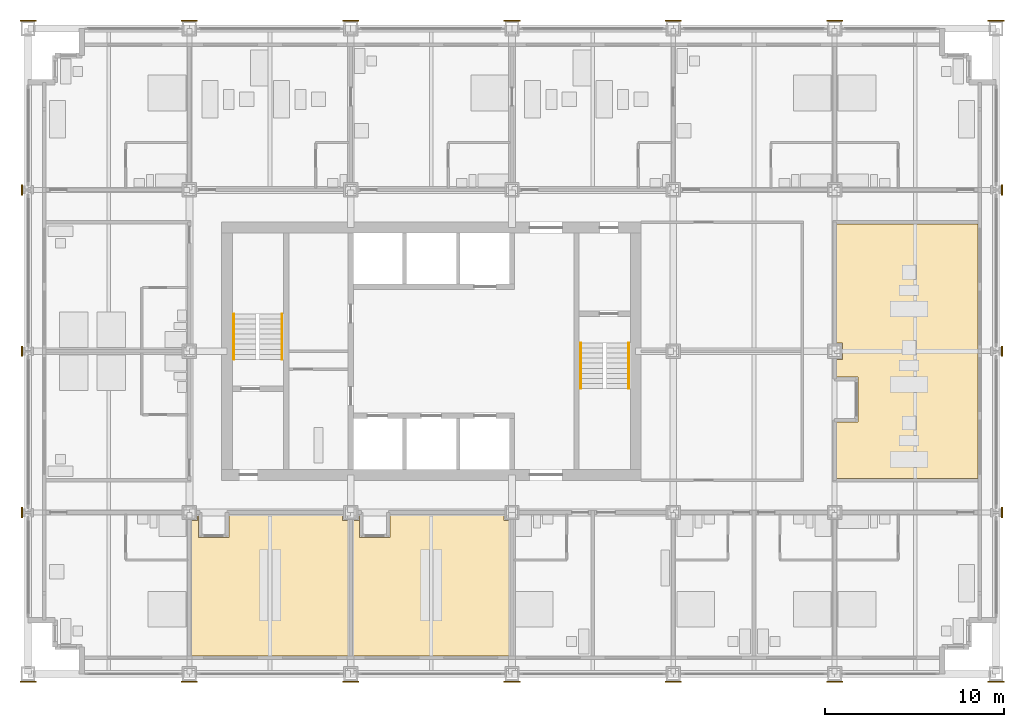
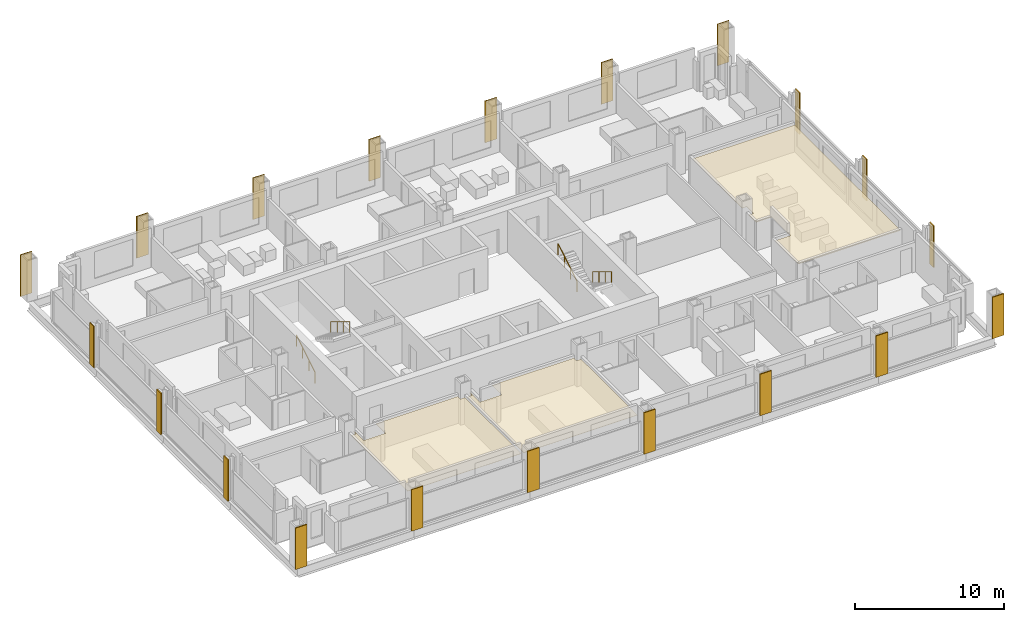
# One storey, part 16 of 18: 23 coverings, 4 railings.
"""IFC4 building model written with IfcOpenShell, lengths in metres."""

from ifc_helpers import new_model, si_unit, direction, frame, origin, origin_2d, place, context, subcontext, project, spatial, polyline, rectangle, circle, outline, extrude, material, layer, layer_set, type_object, element, save


model = new_model("IFC4")

# Units and contexts
model_context = context("Model", 3, precision=1e-05, world=origin(), true_north=direction((0.0, 1.0)))
body_context = subcontext(model_context, "Body", "Model", "MODEL_VIEW")
ifc_project = project(units=[si_unit("LENGTHUNIT", "METRE"), si_unit("AREAUNIT", "SQUARE_METRE"), si_unit("VOLUMEUNIT", "CUBIC_METRE"), si_unit("PLANEANGLEUNIT", "RADIAN"), si_unit("MASSUNIT", "GRAM", prefix="KILO")], contexts=[model_context])

# Site, building, storey
site_placement = place(None, origin())
site = spatial("IfcSite", under=ifc_project, at=site_placement, CompositionType="ELEMENT")
building_placement = place(site_placement, origin())
building = spatial("IfcBuilding", under=site, at=building_placement, Name="Loomwork Tower", CompositionType="ELEMENT")
storey_placement = place(building_placement, frame((0.0, 0.0, 28.0)))
storey = spatial("IfcBuildingStorey", under=building, at=storey_placement, Name="L05", CompositionType="ELEMENT", Elevation=28.0)

# Railings
ifc_material_1 = material(Name="Stainless steel handrail", Category="steel")
railing_type = type_object("IfcRailingType", Name="Handrail 900", PredefinedType="HANDRAIL", material=ifc_material_1)
railing_1_placement = place(storey_placement, frame((11.485107421875, 17.550048828125, 0.169921875)))
element("IfcRailing", 1, at=railing_1_placement, inside=storey, type_object=railing_type, Name="Stair A handrail flight 1 L05", PredefinedType="HANDRAIL", context=body_context, shape_type="SweptSolid", body=[
    extrude(circle(Radius=0.02392578125, at=origin_2d()), frame((0.0, 0.0, 0.8759765625), z_axis=(0.0, 0.85478489116, 0.518982456201), x_axis=(-1.0, 0.0, 0.0)), (0.0, 0.0, 1.0), 2.9482421875),
    extrude(circle(Radius=0.02099609375, at=origin_2d()), origin(), (0.0, 0.0, 1.0), 0.851806640625),
    extrude(circle(Radius=0.02099609375, at=origin_2d()), frame((0.0, 0.840087890625, 0.510009765625)), (0.0, 0.0, 1.0), 0.851806640625),
    extrude(circle(Radius=0.02099609375, at=origin_2d()), frame((0.0, 1.679931640625, 1.02001953125)), (0.0, 0.0, 1.0), 0.851806640625),
    extrude(circle(Radius=0.02099609375, at=origin_2d()), frame((0.0, 2.52001953125, 1.530029296875)), (0.0, 0.0, 1.0), 0.851806640625),
])
railing_2_placement = place(storey_placement, frame((14.1650390625, 20.070068359375, 1.8701171875)))
element("IfcRailing", 2, at=railing_2_placement, inside=storey, type_object=railing_type, Name="Stair A handrail flight 2 L05", PredefinedType="HANDRAIL", context=body_context, shape_type="SweptSolid", body=[
    extrude(circle(Radius=0.02392578125, at=origin_2d()), frame((0.0, 0.0, 0.8759765625), z_axis=(0.0, -0.854821627497, 0.518921945155), x_axis=(1.0, 0.0, 0.0)), (0.0, 0.0, 1.0), 2.947998046875),
    extrude(circle(Radius=0.02099609375, at=origin_2d()), origin(), (0.0, 0.0, 1.0), 0.851806640625),
    extrude(circle(Radius=0.02099609375, at=origin_2d()), frame((0.0, -0.840087890625, 0.510009765625)), (0.0, 0.0, 1.0), 0.851806640625),
    extrude(circle(Radius=0.02099609375, at=origin_2d()), frame((0.0, -1.679931640625, 1.019775390625)), (0.0, 0.0, 1.0), 0.851806640625),
    extrude(circle(Radius=0.02099609375, at=origin_2d()), frame((0.0, -2.52001953125, 1.52978515625)), (0.0, 0.0, 1.0), 0.851806640625),
])
railing_3_placement = place(storey_placement, frame((33.514892578125, 18.449951171875, 0.169921875)))
element("IfcRailing", 3, at=railing_3_placement, inside=storey, type_object=railing_type, Name="Stair B handrail flight 1 L05", PredefinedType="HANDRAIL", context=body_context, shape_type="SweptSolid", body=[
    extrude(circle(Radius=0.02392578125, at=origin_2d()), frame((0.0, 0.0, 0.8759765625), z_axis=(0.0, -0.85478489116, 0.518982456201), x_axis=(1.0, 0.0, 0.0)), (0.0, 0.0, 1.0), 2.9482421875),
    extrude(circle(Radius=0.02099609375, at=origin_2d()), origin(), (0.0, 0.0, 1.0), 0.851806640625),
    extrude(circle(Radius=0.02099609375, at=origin_2d()), frame((0.0, -0.840087890625, 0.510009765625)), (0.0, 0.0, 1.0), 0.851806640625),
    extrude(circle(Radius=0.02099609375, at=origin_2d()), frame((0.0, -1.679931640625, 1.02001953125)), (0.0, 0.0, 1.0), 0.851806640625),
    extrude(circle(Radius=0.02099609375, at=origin_2d()), frame((0.0, -2.52001953125, 1.530029296875)), (0.0, 0.0, 1.0), 0.851806640625),
])
railing_4_placement = place(storey_placement, frame((30.8349609375, 15.929931640625, 1.8701171875)))
element("IfcRailing", 4, at=railing_4_placement, inside=storey, type_object=railing_type, Name="Stair B handrail flight 2 L05", PredefinedType="HANDRAIL", context=body_context, shape_type="SweptSolid", body=[
    extrude(circle(Radius=0.02392578125, at=origin_2d()), frame((0.0, 0.0, 0.8759765625), z_axis=(0.0, 0.854821627497, 0.518921945155), x_axis=(-1.0, 0.0, 0.0)), (0.0, 0.0, 1.0), 2.947998046875),
    extrude(circle(Radius=0.02099609375, at=origin_2d()), origin(), (0.0, 0.0, 1.0), 0.851806640625),
    extrude(circle(Radius=0.02099609375, at=origin_2d()), frame((0.0, 0.840087890625, 0.510009765625)), (0.0, 0.0, 1.0), 0.851806640625),
    extrude(circle(Radius=0.02099609375, at=origin_2d()), frame((0.0, 1.679931640625, 1.019775390625)), (0.0, 0.0, 1.0), 0.851806640625),
    extrude(circle(Radius=0.02099609375, at=origin_2d()), frame((0.0, 2.52001953125, 1.52978515625)), (0.0, 0.0, 1.0), 0.851806640625),
])

# Coverings
ifc_material_2 = material(Name="Limestone", Category="masonry")
ifc_layer_1 = layer(ifc_material_2, 0.080078125)
ifc_layer_set_1 = layer_set([ifc_layer_1], Name="Limestone pier facing 80")
covering_type_1 = type_object("IfcCoveringType", Name="Limestone pier facing 80", PredefinedType="CLADDING", material=ifc_layer_set_1)
covering_1_placement = place(storey_placement, frame((0.0, -0.43994140625, 0.0), z_axis=(0.0, 0.0, 1.0), x_axis=(1.0, 0.0, 0.0)))
element("IfcCovering", 5, at=covering_1_placement, inside=storey, type_object=covering_type_1, Name="Pier facing D/2 L05", PredefinedType="CLADDING", context=body_context, shape_type="SweptSolid", body=[
    extrude(rectangle(XDim=0.89990234375, YDim=0.080078125, at=origin_2d()), origin(), (0.0, 0.0, 1.0), 3.39990234375),
])
for number, where, z_axis, x_axis, name in (
    (6, (-0.339599609375, 9.0, 0.0), (0.0, 0.0, 1.0), (1.0, 0.0, 0.0), "Pier facing E/2 L05"),
    (7, (-0.339599609375, 18.0, 0.0), (0.0, 0.0, 1.0), (1.0, 0.0, 0.0), "Pier facing F/2 L05"),
    (8, (-0.339599609375, 27.0, 0.0), (0.0, 0.0, 1.0), (1.0, 0.0, 0.0), "Pier facing G/2 L05"),
):
    element("IfcCovering", number, at=place(storey_placement, frame(where, z_axis=z_axis, x_axis=x_axis)), inside=storey, type_object=covering_type_1, Name=name, PredefinedType="CLADDING", context=body_context, shape_type="SweptSolid", body=[
        extrude(rectangle(XDim=0.080078125, YDim=0.577392578125, at=origin_2d()), origin(), (0.0, 0.0, 1.0), 3.39990234375),
    ])
for number, where, z_axis, x_axis, name in (
    (9, (0.0, 36.43994140625, 0.0), (0.0, 0.0, 1.0), (1.0, 0.0, 0.0), "Pier facing H/2 L05"),
    (10, (9.0, -0.43994140625, 0.0), (0.0, 0.0, 1.0), (1.0, 0.0, 0.0), "Pier facing D/3 L05"),
    (11, (9.0, 36.43994140625, 0.0), (0.0, 0.0, 1.0), (1.0, 0.0, 0.0), "Pier facing H/3 L05"),
    (12, (18.0, -0.43994140625, 0.0), (0.0, 0.0, 1.0), (1.0, 0.0, 0.0), "Pier facing D/4 L05"),
    (13, (18.0, 36.43994140625, 0.0), (0.0, 0.0, 1.0), (1.0, 0.0, 0.0), "Pier facing H/4 L05"),
    (14, (27.0, -0.43994140625, 0.0), (0.0, 0.0, 1.0), (1.0, 0.0, 0.0), "Pier facing D/5 L05"),
    (15, (27.0, 36.43994140625, 0.0), (0.0, 0.0, 1.0), (1.0, 0.0, 0.0), "Pier facing H/5 L05"),
    (16, (36.0, -0.43994140625, 0.0), (0.0, 0.0, 1.0), (1.0, 0.0, 0.0), "Pier facing D/6 L05"),
    (17, (36.0, 36.43994140625, 0.0), (0.0, 0.0, 1.0), (1.0, 0.0, 0.0), "Pier facing H/6 L05"),
    (18, (45.0, -0.43994140625, 0.0), (0.0, 0.0, 1.0), (1.0, 0.0, 0.0), "Pier facing D/7 L05"),
    (19, (45.0, 36.43994140625, 0.0), (0.0, 0.0, 1.0), (1.0, 0.0, 0.0), "Pier facing H/7 L05"),
    (20, (54.0, -0.43994140625, 0.0), (0.0, 0.0, 1.0), (1.0, 0.0, 0.0), "Pier facing D/8 L05"),
):
    element("IfcCovering", number, at=place(storey_placement, frame(where, z_axis=z_axis, x_axis=x_axis)), inside=storey, type_object=covering_type_1, Name=name, PredefinedType="CLADDING", context=body_context, shape_type="SweptSolid", body=[
        extrude(rectangle(XDim=0.89990234375, YDim=0.080078125, at=origin_2d()), origin(), (0.0, 0.0, 1.0), 3.39990234375),
    ])
for number, where, z_axis, x_axis, name in (
    (21, (54.339599609375, 9.0, 0.0), (0.0, 0.0, 1.0), (1.0, 0.0, 0.0), "Pier facing E/8 L05"),
    (22, (54.339599609375, 18.0, 0.0), (0.0, 0.0, 1.0), (1.0, 0.0, 0.0), "Pier facing F/8 L05"),
    (23, (54.339599609375, 27.0, 0.0), (0.0, 0.0, 1.0), (1.0, 0.0, 0.0), "Pier facing G/8 L05"),
):
    element("IfcCovering", number, at=place(storey_placement, frame(where, z_axis=z_axis, x_axis=x_axis)), inside=storey, type_object=covering_type_1, Name=name, PredefinedType="CLADDING", context=body_context, shape_type="SweptSolid", body=[
        extrude(rectangle(XDim=0.080078125, YDim=0.577392578125, at=origin_2d()), origin(), (0.0, 0.0, 1.0), 3.39990234375),
    ])
covering_2_placement = place(storey_placement, frame((54.0, 36.43994140625, 0.0), z_axis=(0.0, 0.0, 1.0), x_axis=(1.0, 0.0, 0.0)))
element("IfcCovering", 24, at=covering_2_placement, inside=storey, type_object=covering_type_1, Name="Pier facing H/8 L05", PredefinedType="CLADDING", context=body_context, shape_type="SweptSolid", body=[
    extrude(rectangle(XDim=0.89990234375, YDim=0.080078125, at=origin_2d()), origin(), (0.0, 0.0, 1.0), 3.39990234375),
])
ifc_material_3 = material(Name="Mineral fibre acoustic tile on suspension grid")
ifc_layer_2 = layer(ifc_material_3, 0.02490234375)
ifc_layer_set_2 = layer_set([ifc_layer_2], Name="Suspended acoustic ceiling")
covering_type_2 = type_object("IfcCoveringType", Name="Suspended acoustic ceiling", PredefinedType="CEILING", material=ifc_layer_set_2)
covering_3_placement = place(storey_placement, frame((0.0, 0.0, 2.175048828125)))
element("IfcCovering", 25, at=covering_3_placement, inside=storey, type_object=covering_type_2, Name="Ceiling Meeting room L05", PredefinedType="CEILING", context=body_context, shape_type="SweptSolid", body=[
    extrude(outline(polyline([(9.5, 7.60009765625), (11.199951171875, 7.60009765625), (11.199951171875, 8.89990234375), (17.550048828125, 8.89990234375), (17.550048828125, 8.550048828125), (17.89990234375, 8.550048828125), (17.89990234375, 1.0), (9.10009765625, 1.0), (9.10009765625, 8.550048828125), (9.449951171875, 8.550048828125), (9.449951171875, 8.89990234375), (9.5, 8.89990234375), (9.5, 7.60009765625)])), origin(), (0.0, 0.0, 1.0), 0.02490234375),
])
covering_4_placement = place(storey_placement, frame((0.0, 0.0, 2.175048828125)))
element("IfcCovering", 26, at=covering_4_placement, inside=storey, type_object=covering_type_2, Name="Ceiling Meeting room L05", PredefinedType="CEILING", context=body_context, shape_type="SweptSolid", body=[
    extrude(outline(polyline([(18.5, 7.60009765625), (20.199951171875, 7.60009765625), (20.199951171875, 8.89990234375), (26.550048828125, 8.89990234375), (26.550048828125, 8.550048828125), (26.89990234375, 8.550048828125), (26.89990234375, 1.0), (18.10009765625, 1.0), (18.10009765625, 8.550048828125), (18.449951171875, 8.550048828125), (18.449951171875, 8.89990234375), (18.5, 8.89990234375), (18.5, 7.60009765625)])), origin(), (0.0, 0.0, 1.0), 0.02490234375),
])
covering_5_placement = place(storey_placement, frame((0.0, 0.0, 2.175048828125)))
element("IfcCovering", 27, at=covering_5_placement, inside=storey, type_object=covering_type_2, Name="Ceiling Conference club lounge L05", PredefinedType="CEILING", context=body_context, shape_type="SweptSolid", body=[
    extrude(outline(polyline([(46.300048828125, 14.050048828125), (46.300048828125, 16.550048828125), (45.10009765625, 16.550048828125), (45.10009765625, 17.550048828125), (45.449951171875, 17.550048828125), (45.449951171875, 18.449951171875), (45.10009765625, 18.449951171875), (45.10009765625, 25.10009765625), (53.0, 25.10009765625), (53.0, 10.89990234375), (45.10009765625, 10.89990234375), (45.10009765625, 14.050048828125), (46.300048828125, 14.050048828125)])), origin(), (0.0, 0.0, 1.0), 0.02490234375),
])

save(model, "model.ifc")
